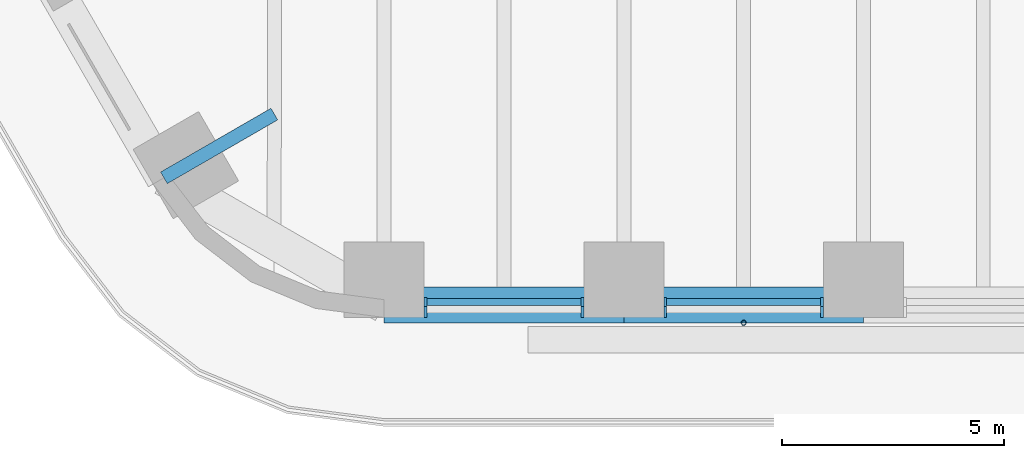
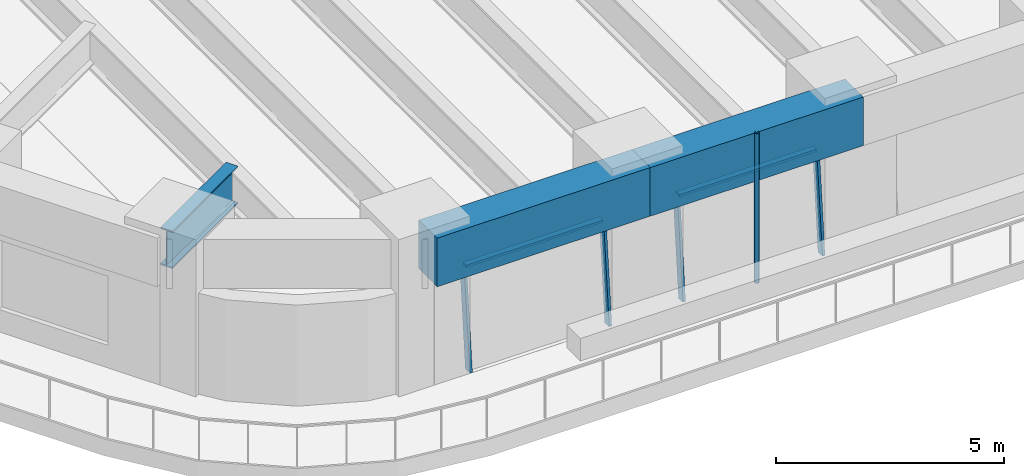
# One storey, part 2 of 24: 7 members, 3 beams, 2 elements without a shape of their own.
"""IFC4 building model written with IfcOpenShell, lengths in metres."""

from ifc_helpers import new_model, si_unit, direction, frame, origin, origin_2d, place, context, subcontext, project, spatial, rectangle, hollow_circle, i_section, extrude, material, material_profile, profile_set, type_object, element, aggregate, save


model = new_model("IFC4")

# Units and contexts
model_context = context("Model", 3, precision=1e-05, world=origin(), true_north=direction((0.0, 1.0)))
body_context = subcontext(model_context, "Body", "Model", "MODEL_VIEW")
ifc_project = project(units=[si_unit("LENGTHUNIT", "METRE"), si_unit("AREAUNIT", "SQUARE_METRE"), si_unit("VOLUMEUNIT", "CUBIC_METRE"), si_unit("PLANEANGLEUNIT", "RADIAN"), si_unit("MASSUNIT", "GRAM", prefix="KILO")], contexts=[model_context])

# Site, building, storey
site_placement = place(None, origin())
site = spatial("IfcSite", under=ifc_project, at=site_placement, CompositionType="ELEMENT")
building_placement = place(site_placement, origin())
building = spatial("IfcBuilding", under=site, at=building_placement, Name="Tarfa Lantern Tower", CompositionType="ELEMENT")
storey_placement = place(building_placement, frame((0.0, 0.0, 94.89990234375)))
storey = spatial("IfcBuildingStorey", under=building, at=storey_placement, Name="L21", CompositionType="ELEMENT", Elevation=94.89990234375)

# Curtain wall, members
ifc_material_1 = material(Name="Aluminium framed curtain wall", Category="aluminium")
curtain_wall_type = type_object("IfcCurtainWallType", Name="CW1 CANTED GLAZING LOW ZONE 2700", PredefinedType="USERDEFINED", material=ifc_material_1)
curtain_wall_1_placement = place(storey_placement, origin())
curtain_wall_1 = element("IfcCurtainWall", 1, at=curtain_wall_1_placement, inside=storey, type_object=curtain_wall_type, Name="CW1 S L21", ObjectType="CURTAIN WALL", PredefinedType="USERDEFINED")
ifc_material_2 = material(Name="Aluminium mullion", Category="aluminium")
ifc_material_profile_1 = material_profile(ifc_material_2, rectangle(XDim=0.06494140625, YDim=0.199951171875, at=origin_2d()), Name="AL MULLION 65x200")
ifc_profile_set_1 = profile_set([ifc_material_profile_1], Name="Aluminium mullion")
member_type_1 = type_object("IfcMemberType", Name="CWM1 MULLION 65x200", PredefinedType="MULLION", material=ifc_profile_set_1)
member_1_placement = place(storey_placement, frame((-15.2333984375, -33.89990234375, 0.0), z_axis=(0.0, 0.092191598296, 0.995741286281), x_axis=(-1.0, 0.0, 0.0)))
member_1 = element("IfcMember", 2, at=member_1_placement, type_object=member_type_1, Name="CW1 mullion 1", PredefinedType="MULLION", context=body_context, shape_type="SweptSolid", body=[
    extrude(rectangle(XDim=0.06494140625, YDim=0.199951171875, at=origin_2d()), origin(), (0.0, 0.0, 1.0), 2.711669921875),
])
member_2_placement = place(storey_placement, frame((-11.709716796875, -33.89990234375, 0.0), z_axis=(0.0, 0.092191598296, 0.995741286281), x_axis=(-1.0, 0.0, 0.0)))
member_2 = element("IfcMember", 3, at=member_2_placement, type_object=member_type_1, Name="CW1 mullion 2", PredefinedType="MULLION", context=body_context, shape_type="SweptSolid", body=[
    extrude(rectangle(XDim=0.06494140625, YDim=0.199951171875, at=origin_2d()), origin(), (0.0, 0.0, 1.0), 2.711669921875),
])

curtain_wall_2_placement = place(storey_placement, origin())
curtain_wall_2 = element("IfcCurtainWall", 4, at=curtain_wall_2_placement, inside=storey, type_object=curtain_wall_type, Name="CW1 S L21", ObjectType="CURTAIN WALL", PredefinedType="USERDEFINED")
member_3_placement = place(storey_placement, frame((-9.8447265625, -33.89990234375, 0.0), z_axis=(0.0, 0.092191598296, 0.995741286281), x_axis=(-1.0, 0.0, 0.0)))
member_3 = element("IfcMember", 5, at=member_3_placement, type_object=member_type_1, Name="CW1 mullion 1", PredefinedType="MULLION", context=body_context, shape_type="SweptSolid", body=[
    extrude(rectangle(XDim=0.06494140625, YDim=0.199951171875, at=origin_2d()), origin(), (0.0, 0.0, 1.0), 2.711669921875),
])
member_4_placement = place(storey_placement, frame((-6.321044921875, -33.89990234375, 0.0), z_axis=(0.0, 0.092191598296, 0.995741286281), x_axis=(-1.0, 0.0, 0.0)))
member_4 = element("IfcMember", 6, at=member_4_placement, type_object=member_type_1, Name="CW1 mullion 2", PredefinedType="MULLION", context=body_context, shape_type="SweptSolid", body=[
    extrude(rectangle(XDim=0.06494140625, YDim=0.199951171875, at=origin_2d()), origin(), (0.0, 0.0, 1.0), 2.711669921875),
])

# Member
ifc_material_3 = material(Name="Aluminium transom", Category="aluminium")
ifc_material_profile_2 = material_profile(ifc_material_3, rectangle(XDim=0.14990234375, YDim=0.06494140625, at=origin_2d()), Name="AL TRANSOM 150x65")
ifc_profile_set_2 = profile_set([ifc_material_profile_2], Name="Aluminium transom")
member_type_2 = type_object("IfcMemberType", Name="CWT1 TRANSOM 150x65", PredefinedType="USERDEFINED", material=ifc_profile_set_2)
member_5_placement = place(storey_placement, frame((-15.200927734375, -33.653076171875, 2.66748046875), z_axis=(1.0, 0.0, 0.0), x_axis=(0.0, 1.0, 0.0)))
member_5 = element("IfcMember", 7, at=member_5_placement, type_object=member_type_2, Name="CW1 transom 1.2", ObjectType="TRANSOM", PredefinedType="USERDEFINED", context=body_context, shape_type="SweptSolid", body=[
    extrude(rectangle(XDim=0.14990234375, YDim=0.06494140625, at=origin_2d()), origin(), (0.0, 0.0, 1.0), 3.458740234375),
])

aggregate(curtain_wall_1, [member_1, member_2, member_5])

member_6_placement = place(storey_placement, frame((-9.812255859375, -33.653076171875, 2.66748046875), z_axis=(1.0, 0.0, 0.0), x_axis=(0.0, 1.0, 0.0)))
member_6 = element("IfcMember", 8, at=member_6_placement, type_object=member_type_2, Name="CW1 transom 1.2", ObjectType="TRANSOM", PredefinedType="USERDEFINED", context=body_context, shape_type="SweptSolid", body=[
    extrude(rectangle(XDim=0.14990234375, YDim=0.06494140625, at=origin_2d()), origin(), (0.0, 0.0, 1.0), 3.458740234375),
])

aggregate(curtain_wall_2, [member_3, member_4, member_6])

# Beams
ifc_material_4 = material(Name="Concrete C80/95", Category="concrete")
ifc_material_profile_3 = material_profile(ifc_material_4, rectangle(XDim=0.800048828125, YDim=1.300048828125, at=origin_2d()), Name="RC 800x1300")
ifc_profile_set_3 = profile_set([ifc_material_profile_3], Name="Concrete C80/95")
beam_type_1 = type_object("IfcBeamType", Name="EB1 RC 800x1300", PredefinedType="SPANDREL", material=ifc_profile_set_3)
beam_1_placement = place(storey_placement, frame((-16.165771484375, -33.719970703125, 3.35009765625), z_axis=(1.0, 0.0, 0.0), x_axis=(0.0, 1.0, 0.0)))
element("IfcBeam", 9, at=beam_1_placement, inside=storey, type_object=beam_type_1, Name="Edge beam S0", PredefinedType="SPANDREL", context=body_context, shape_type="SweptSolid", body=[
    extrude(rectangle(XDim=0.800048828125, YDim=1.300048828125, at=origin_2d()), origin(), (0.0, 0.0, 1.0), 5.388671875),
])
beam_2_placement = place(storey_placement, frame((-10.777099609375, -33.719970703125, 3.35009765625), z_axis=(1.0, 0.0, 0.0), x_axis=(0.0, 1.0, 0.0)))
element("IfcBeam", 10, at=beam_2_placement, inside=storey, type_object=beam_type_1, Name="Edge beam S1", PredefinedType="SPANDREL", context=body_context, shape_type="SweptSolid", body=[
    extrude(rectangle(XDim=0.800048828125, YDim=1.300048828125, at=origin_2d()), origin(), (0.0, 0.0, 1.0), 5.388427734375),
])

# Member
ifc_material_5 = material(Name="Steel S355", Category="steel")
ifc_material_profile_4 = material_profile(ifc_material_5, hollow_circle(Radius=0.05712890625, WallThickness=0.00634765625, at=origin_2d()), Name="CHS114.3x6.3")
ifc_profile_set_4 = profile_set([ifc_material_profile_4], Name="Steel S355")
member_type_3 = type_object("IfcMemberType", Name="TR1 GREEN WALL TRELLIS CHS114.3x6.3", PredefinedType="USERDEFINED", material=ifc_profile_set_4)
member_7_placement = place(storey_placement, frame((-8.0830078125, -34.1201171875, 0.0), z_axis=(0.0, 0.0, 1.0), x_axis=(1.0, 0.0, 0.0)))
element("IfcMember", 11, at=member_7_placement, inside=storey, type_object=member_type_3, Name="Trellis post S 1", ObjectType="TRELLIS", PredefinedType="USERDEFINED", context=body_context, shape_type="SweptSolid", body=[
    extrude(hollow_circle(Radius=0.05712890625, WallThickness=0.00634765625, at=origin_2d()), origin(), (0.0, 0.0, 1.0), 4.0),
])

# Beam
ifc_material_6 = material(Name="Steel S460M", Category="steel")
ifc_material_profile_5 = material_profile(ifc_material_6, i_section(OverallWidth=0.302001953125, OverallDepth=1.008056640625, WebThickness=0.02099609375, FlangeThickness=0.0400390625, FilletRadius=0.030029296875, at=origin_2d()), Name="UB1016x305x349")
ifc_profile_set_5 = profile_set([ifc_material_profile_5], Name="Steel S460M")
beam_type_2 = type_object("IfcBeamType", Name="UB1016x305x349", PredefinedType="BEAM", material=ifc_profile_set_5)
beam_3_placement = place(storey_placement, frame((-21.119384765625, -30.860107421875, 3.49609375), z_axis=(0.866012580594, 0.500022209759, 0.0), x_axis=(-0.500022209759, 0.866012580594, 0.0)))
element("IfcBeam", 12, at=beam_3_placement, inside=storey, type_object=beam_type_2, Name="Floor beam SW6", PredefinedType="BEAM", context=body_context, shape_type="SweptSolid", body=[
    extrude(i_section(OverallWidth=0.302001953125, OverallDepth=1.008056640625, WebThickness=0.02099609375, FlangeThickness=0.0400390625, FilletRadius=0.030029296875, at=origin_2d()), origin(), (0.0, 0.0, 1.0), 2.866943359375),
])

save(model, "model.ifc")
